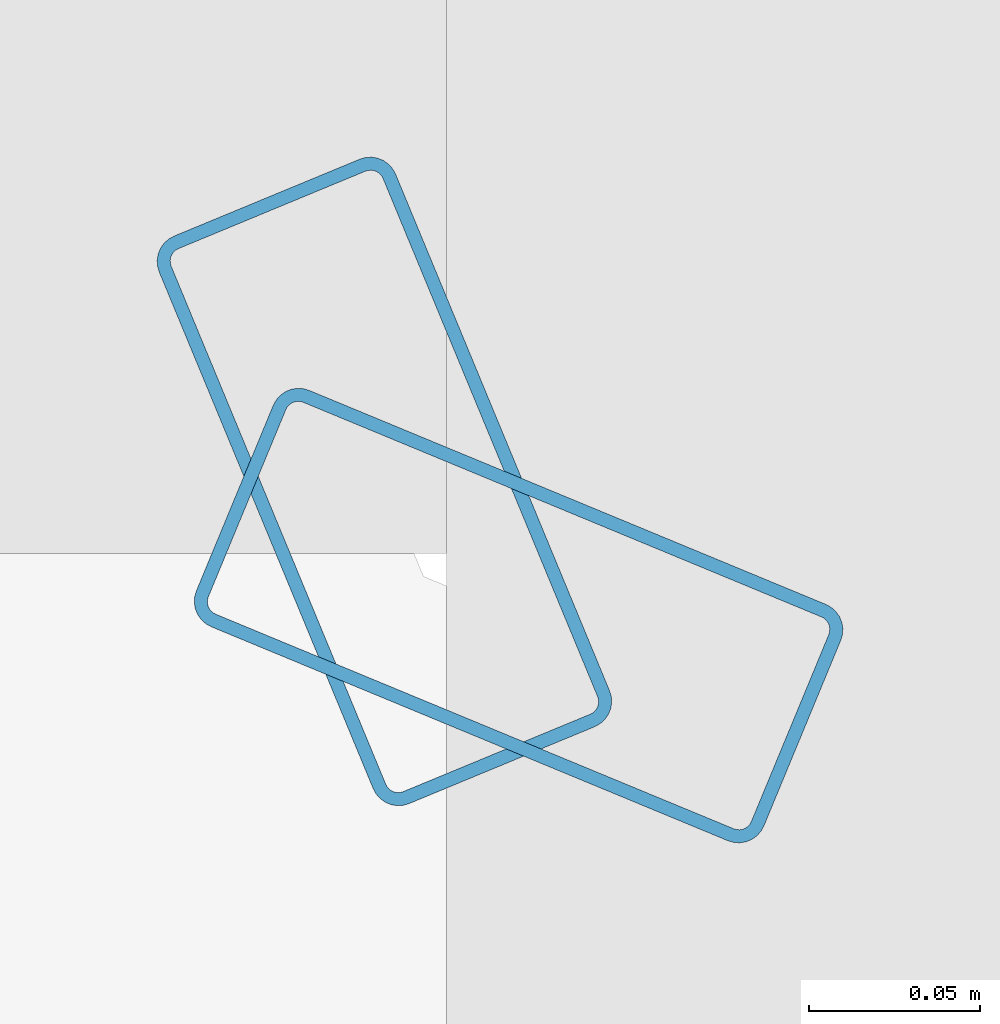
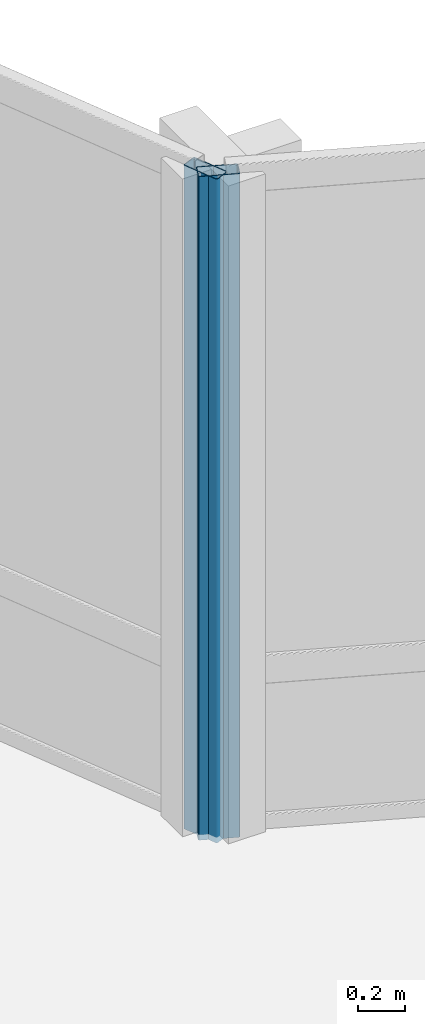
# One storey, part 8 of 28: 2 members, 2 elements without a shape of their own.
"""IFC4 building model written with IfcOpenShell, lengths in metres."""

import ifcopenshell
import ifcopenshell.guid

model = None  # the IFC model being written
_history = None  # IfcOwnerHistory: only IFC2X3 demands one
_inside = {}  # id of a spatial element -> (the spatial element, [elements in it])
_under = {}  # id of a project, library or spatial element -> (it, [spatial elements below it])
_declared = {}  # id of a project -> (the project, [libraries it declares])
_typed = {}  # id of a type object -> (the type object, [elements of that type])
_made_of = {}  # id of a material, layer set ... -> (it, [elements and type objects made of it])


def new_model(schema):
    """Start an empty IFC model of exactly this schema.

    Asked for "IFC4X3", IfcOpenShell would pick the latest addendum, in which some entities
    have other attributes; the version numbers below select the first issue.
    IFC2X3 requires an IfcOwnerHistory on every rooted entity: one is made here for all.
    """
    global model, _history
    if schema == "IFC4X3":
        model = ifcopenshell.file(schema_version=(4, 3, 0, 0))
    else:
        model = ifcopenshell.file(schema=schema)
    _inside.clear()
    _under.clear()
    _declared.clear()
    _typed.clear()
    _made_of.clear()
    _history = None
    if model.schema == "IFC2X3":
        org = make("IfcOrganization", Name="unknown")
        user = make(
            "IfcPersonAndOrganization",
            ThePerson=make("IfcPerson", FamilyName="unknown"),
            TheOrganization=org,
        )
        app = make(
            "IfcApplication",
            ApplicationDeveloper=org,
            Version="unknown",
            ApplicationFullName="unknown",
            ApplicationIdentifier="unknown",
        )
        _history = make(
            "IfcOwnerHistory",
            OwningUser=user,
            OwningApplication=app,
            ChangeAction="ADDED",
            CreationDate=0,
        )
    return model


def make(cls, **values):
    """One entity of the class cls with the attributes given. An attribute that is None is left unset."""
    return model.create_entity(
        cls, **{name: value for name, value in values.items() if value is not None}
    )


def rooted(cls, **values):
    """An entity with a GlobalId (a new one), such as an element, a storey or a relation."""
    return make(cls, GlobalId=ifcopenshell.guid.new(), OwnerHistory=_history, **values)


def si_unit(unit_type, name, prefix=None):
    """IfcSIUnit, for example si_unit("LENGTHUNIT", "METRE", prefix="MILLI")."""
    return make("IfcSIUnit", UnitType=unit_type, Prefix=prefix, Name=name)


def assignment(units):
    """IfcUnitAssignment: the units of a project."""
    return None if units is None else make("IfcUnitAssignment", Units=units)


def point(xyz):
    """IfcCartesianPoint."""
    return None if xyz is None else make("IfcCartesianPoint", Coordinates=xyz)


def direction(xyz):
    """IfcDirection."""
    return None if xyz is None else make("IfcDirection", DirectionRatios=xyz)


def frame(location, z_axis=None, x_axis=None):
    """IfcAxis2Placement3D, a coordinate frame: its origin and axes. An axis left out is left unset."""
    return make(
        "IfcAxis2Placement3D",
        Location=point(location),
        Axis=direction(z_axis),
        RefDirection=direction(x_axis),
    )


def frame_2d(location, x_axis=None):
    """IfcAxis2Placement2D, a coordinate frame in the plane: its origin and x axis."""
    return make(
        "IfcAxis2Placement2D", Location=point(location), RefDirection=direction(x_axis)
    )


def origin():
    """The frame at (0, 0, 0) with its axes left unset."""
    return frame((0.0, 0.0, 0.0))


def origin_2d():
    """The frame at (0, 0) in the plane with its x axis left unset."""
    return frame_2d((0.0, 0.0))


def place(relative_to, where):
    """IfcLocalPlacement: puts the frame where relative to a parent placement (None: the world)."""
    return make(
        "IfcLocalPlacement", PlacementRelTo=relative_to, RelativePlacement=where
    )


def context(
    kind, dimensions, precision=None, world=None, true_north=None, identifier=None
):
    """IfcGeometricRepresentationContext, for example the 3D "Model" context."""
    return make(
        "IfcGeometricRepresentationContext",
        ContextIdentifier=identifier,
        ContextType=kind,
        CoordinateSpaceDimension=dimensions,
        Precision=precision,
        WorldCoordinateSystem=world,
        TrueNorth=true_north,
    )


def subcontext(parent, identifier, kind, view, scale=None):
    """IfcGeometricRepresentationSubContext, for example "Body" below "Model"."""
    return make(
        "IfcGeometricRepresentationSubContext",
        ContextIdentifier=identifier,
        ContextType=kind,
        ParentContext=parent,
        TargetScale=scale,
        TargetView=view,
    )


def project(units=None, contexts=None):
    """IfcProject with its units and contexts."""
    return rooted(
        "IfcProject",
        Name="project",
        RepresentationContexts=contexts,
        UnitsInContext=assignment(units),
    )


def spatial(cls, under=None, at=None, **own):
    """A site, building, storey or space (cls), placed at a placement, below another one or the project."""
    s = rooted(cls, ObjectPlacement=at, **own)
    if under is not None:
        _under.setdefault(under.id(), (under, []))[1].append(s)
    return s


def profile(cls, at=None, kind="AREA", **sizes):
    """A parametric profile (cls). Its sizes go by their IFC names, for example OverallWidth=200.0."""
    return make(cls, ProfileType=kind, Position=at, **sizes)


def hollow_rectangle(**sizes):
    """IfcRectangleHollowProfileDef."""
    return profile("IfcRectangleHollowProfileDef", **sizes)


def extrude(swept, where, along, depth):
    """IfcExtrudedAreaSolid: the profile swept, set in the frame where, extruded along a direction by depth."""
    return make(
        "IfcExtrudedAreaSolid",
        SweptArea=swept,
        Position=where,
        ExtrudedDirection=direction(along),
        Depth=depth,
    )


def shape(context_of_items, identifier, shape_type, items):
    """IfcShapeRepresentation: the items that make up one representation, for example the "Body"."""
    return make(
        "IfcShapeRepresentation",
        ContextOfItems=context_of_items,
        RepresentationIdentifier=identifier,
        RepresentationType=shape_type,
        Items=items,
    )


def material(Name=None, Category=None):
    """IfcMaterial."""
    return make("IfcMaterial", Name=Name, Category=Category)


def layer(
    of_material, thickness, ventilated=None, Name=None, Category=None, Priority=None
):
    """IfcMaterialLayer: one layer of a wall or slab, of a material (None: an air gap)."""
    return make(
        "IfcMaterialLayer",
        Material=of_material,
        LayerThickness=thickness,
        IsVentilated=ventilated,
        Name=Name,
        Category=Category,
        Priority=Priority,
    )


def layer_set(layers, Name=None):
    """IfcMaterialLayerSet."""
    return make("IfcMaterialLayerSet", MaterialLayers=layers, LayerSetName=Name)


def material_profile(
    of_material, cross_section, Name=None, Category=None, Priority=None
):
    """IfcMaterialProfile: a cross section and its material."""
    return make(
        "IfcMaterialProfile",
        Name=Name,
        Material=of_material,
        Profile=cross_section,
        Priority=Priority,
        Category=Category,
    )


def profile_set(profiles, Name=None, composite=None):
    """IfcMaterialProfileSet."""
    return make(
        "IfcMaterialProfileSet",
        Name=Name,
        MaterialProfiles=profiles,
        CompositeProfile=composite,
    )


def made_of(thing, what):
    """Note that an element or type object is made of a material, layer set ...; save() writes the relation."""
    if what is not None:
        _made_of.setdefault(what.id(), (what, []))[1].append(thing)
    return thing


def type_object(cls, material=None, **own):
    """A type object (cls), such as IfcWallType, which elements share."""
    return made_of(rooted(cls, **own), material)


def element(
    cls,
    number,
    at=None,
    inside=None,
    cuts=None,
    type_object=None,
    material=None,
    context=None,
    identifier="Body",
    shape_type=None,
    held_by="IfcProductDefinitionShape",
    body=None,
    shapes=None,
    **own,
):
    """One element of the class cls, such as IfcWall. Its Tag is "e" and its number.

    at: its placement. inside: the storey or other place that contains it. cuts: it is an
    opening in that element (IfcRelVoidsElement). A single representation is given by context,
    identifier, shape_type and body (its items); several are given by shapes. held_by: the class
    of the entity that holds the representations. save() writes the other relations.
    """
    e = rooted(cls, Tag="e%d" % number, ObjectPlacement=at, **own)
    if body is not None:
        shapes = [shape(context, identifier, shape_type, body)]
    if shapes is not None:
        e.Representation = make(held_by, Representations=shapes)
    if inside is not None:
        _inside.setdefault(inside.id(), (inside, []))[1].append(e)
    if cuts is not None:
        rooted(
            "IfcRelVoidsElement", RelatingBuildingElement=cuts, RelatedOpeningElement=e
        )
    if type_object is not None:
        _typed.setdefault(type_object.id(), (type_object, []))[1].append(e)
    return made_of(e, material)


def aggregate(whole, parts):
    """IfcRelAggregates: a whole, such as a stair, and the parts it consists of."""
    return rooted("IfcRelAggregates", RelatingObject=whole, RelatedObjects=parts)


def save(model, path):
    """Write the relations noted so far, then the file.

    IfcRelAggregates (storeys below a building ...), IfcRelContainedInSpatialStructure (elements
    in a storey), IfcRelDefinesByType, IfcRelAssociatesMaterial and IfcRelDeclares: one each for
    every whole, place, type object, material and project.
    """
    for whole, parts in _under.values():
        aggregate(whole, parts)
    for where, things in _inside.values():
        rooted(
            "IfcRelContainedInSpatialStructure",
            RelatedElements=things,
            RelatingStructure=where,
        )
    for kind, things in _typed.values():
        rooted("IfcRelDefinesByType", RelatedObjects=things, RelatingType=kind)
    for what, things in _made_of.values():
        rooted("IfcRelAssociatesMaterial", RelatedObjects=things, RelatingMaterial=what)
    for by, libraries in _declared.values():
        rooted("IfcRelDeclares", RelatingContext=by, RelatedDefinitions=libraries)
    model.write(path)


model = new_model("IFC4")

# Units and contexts
model_context = context("Model", 3, precision=1e-05, world=origin(), true_north=direction((0.0, 1.0)))
body_context = subcontext(model_context, "Body", "Model", "MODEL_VIEW")
ifc_project = project(units=[si_unit("LENGTHUNIT", "METRE"), si_unit("AREAUNIT", "SQUARE_METRE"), si_unit("VOLUMEUNIT", "CUBIC_METRE"), si_unit("PLANEANGLEUNIT", "RADIAN"), si_unit("MASSUNIT", "GRAM", prefix="KILO")], contexts=[model_context])

# Site, building, storey
site_placement = place(None, origin())
site = spatial("IfcSite", under=ifc_project, at=site_placement, CompositionType="ELEMENT")
building_placement = place(site_placement, origin())
building = spatial("IfcBuilding", under=site, at=building_placement, Name="Solvaryn Broadcast Tower", CompositionType="ELEMENT")
storey_placement = place(building_placement, frame((0.0, 0.0, 110.0)))
storey = spatial("IfcBuildingStorey", under=building, at=storey_placement, Name="L26", CompositionType="ELEMENT", Elevation=110.0)

# Curtain wall, member
ifc_material_1 = material(Name="Aluminium and Terracotta Unitised Curtain Wall", Category="masonry")
ifc_layer = layer(ifc_material_1, 0.199951171875)
ifc_layer_set = layer_set([ifc_layer], Name="CW-SYS2-LOWMID")
curtain_wall_type = type_object("IfcCurtainWallType", Name="CW-SYS2-LOWMID", PredefinedType="NOTDEFINED", material=ifc_layer_set)
curtain_wall_1_placement = place(storey_placement, origin())
curtain_wall_1 = element("IfcCurtainWall", 1, at=curtain_wall_1_placement, inside=storey, type_object=curtain_wall_type, Name="L26 Curtain Wall CN1", PredefinedType="NOTDEFINED")
ifc_material_2 = material(Name="Anodised Aluminium 6063-T6", Category="aluminium")
ifc_material_profile = material_profile(ifc_material_2, hollow_rectangle(XDim=0.074951171875, YDim=0.179931640625, WallThickness=0.00390625, InnerFilletRadius=0.00390625, OuterFilletRadius=0.008056640625, at=origin_2d()))
ifc_profile_set = profile_set([ifc_material_profile], Name="Anodised Aluminium 6063-T6")
member_type = type_object("IfcMemberType", Name="CW-MUL-180", PredefinedType="MULLION", material=ifc_profile_set)
member_1_placement = place(storey_placement, frame((30.395751953125, 30.3564453125, 0.0), z_axis=(0.0, 0.0, 1.0), x_axis=(-0.382646127145, -0.923894983957, 0.0)))
member_1 = element("IfcMember", 2, at=member_1_placement, type_object=member_type, Name="CWS2 mullion 2", PredefinedType="MULLION", context=body_context, shape_type="SweptSolid", body=[
    extrude(hollow_rectangle(XDim=0.074951171875, YDim=0.179931640625, WallThickness=0.00390625, InnerFilletRadius=0.00390625, OuterFilletRadius=0.008056640625, at=origin_2d()), origin(), (0.0, 0.0, 1.0), 3.419921875),
])
aggregate(curtain_wall_1, [member_1])

curtain_wall_2_placement = place(storey_placement, origin())
curtain_wall_2 = element("IfcCurtainWall", 3, at=curtain_wall_2_placement, inside=storey, type_object=curtain_wall_type, Name="L26 Curtain Wall CN2", PredefinedType="NOTDEFINED")
member_2_placement = place(storey_placement, frame((30.3564453125, 30.395751953125, 0.0), z_axis=(0.0, 0.0, 1.0), x_axis=(-0.923894983957, -0.382646127145, 0.0)))
member_2 = element("IfcMember", 4, at=member_2_placement, type_object=member_type, Name="CWS2 mullion 1", PredefinedType="MULLION", context=body_context, shape_type="SweptSolid", body=[
    extrude(hollow_rectangle(XDim=0.074951171875, YDim=0.179931640625, WallThickness=0.00390625, InnerFilletRadius=0.00390625, OuterFilletRadius=0.008056640625, at=origin_2d()), origin(), (0.0, 0.0, 1.0), 3.419921875),
])
aggregate(curtain_wall_2, [member_2])

save(model, "model.ifc")
